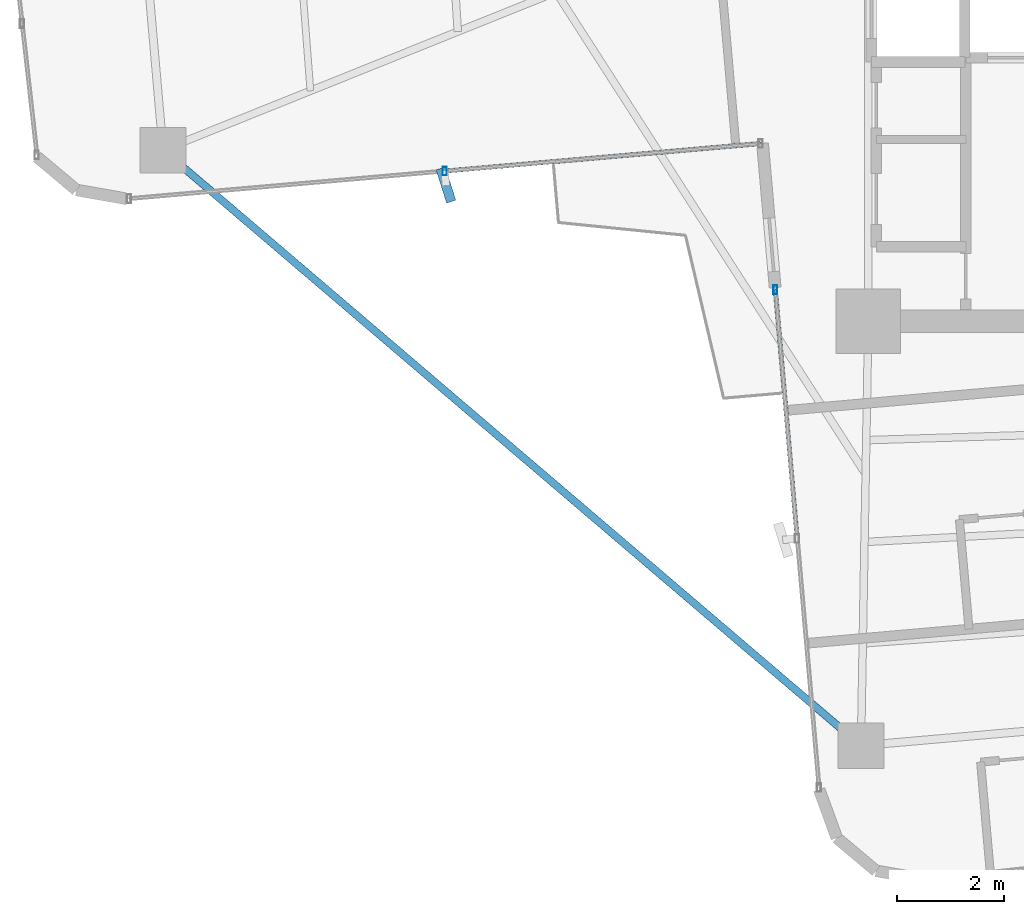
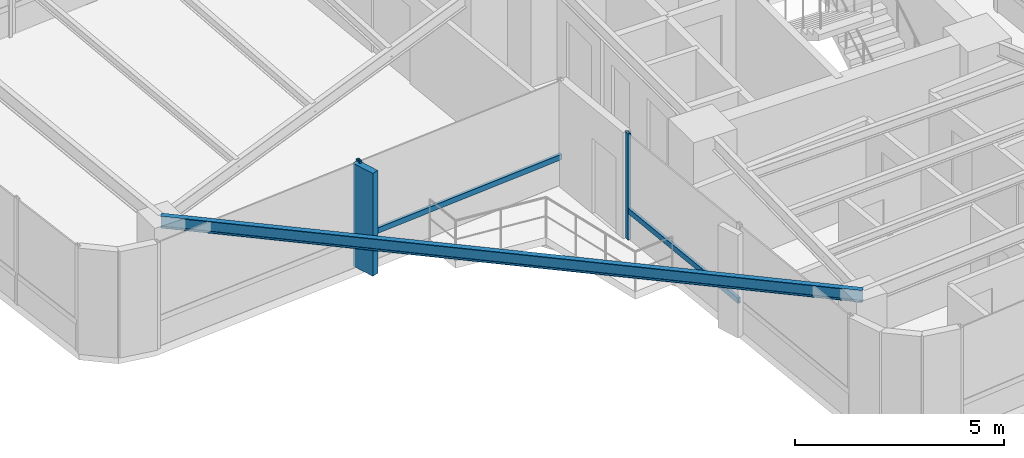
# One storey, part 4 of 24: 5 members, 1 beam, 2 elements without a shape of their own.
"""IFC4 building model written with IfcOpenShell, lengths in metres."""

from ifc_helpers import new_model, si_unit, direction, frame, origin, origin_2d, place, context, subcontext, project, spatial, rectangle, hollow_rectangle, i_section, extrude, source, transform, mapped, material, material_profile, profile_set, type_object, element, aggregate, save


model = new_model("IFC4")

# Units and contexts
model_context = context("Model", 3, precision=1e-05, world=origin(), true_north=direction((0.0, 1.0)))
body_context = subcontext(model_context, "Body", "Model", "MODEL_VIEW")
ifc_project = project(units=[si_unit("LENGTHUNIT", "METRE"), si_unit("AREAUNIT", "SQUARE_METRE"), si_unit("VOLUMEUNIT", "CUBIC_METRE"), si_unit("PLANEANGLEUNIT", "RADIAN"), si_unit("MASSUNIT", "GRAM", prefix="KILO")], contexts=[model_context])

# Site, building, storey
site_placement = place(None, origin())
site = spatial("IfcSite", under=ifc_project, at=site_placement, CompositionType="ELEMENT")
building_placement = place(site_placement, origin())
building = spatial("IfcBuilding", under=site, at=building_placement, Name="Sahyath Konkavel Grand Hotel", CompositionType="ELEMENT")
storey_placement = place(building_placement, frame((0.0, 0.0, 150.60009765625)))
storey = spatial("IfcBuildingStorey", under=building, at=storey_placement, Name="L41", CompositionType="ELEMENT", Elevation=150.60009765625)

# Beam
ifc_material_1 = material(Name="Steel E350", Category="steel")
ifc_material_profile_1 = material_profile(ifc_material_1, i_section(OverallWidth=0.139892578125, OverallDepth=0.35009765625, WebThickness=0.008056640625, FlangeThickness=0.01416015625, FilletRadius=0.013916015625, at=origin_2d()), Name="ISMB 350")
ifc_profile_set_1 = profile_set([ifc_material_profile_1], Name="Steel E350")
beam_type = type_object("IfcBeamType", Name="BM-ISMB350", PredefinedType="BEAM", material=ifc_profile_set_1)
shared_shape_1 = source(origin(), body_context, "Body", "SweptSolid", [
    extrude(i_section(OverallWidth=0.139892578125, OverallDepth=0.35009765625, WebThickness=0.008056640625, FlangeThickness=0.01416015625, FilletRadius=0.013916015625, at=origin_2d()), origin(), (0.0, 0.0, 1.0), 17.11279296875),
])
beam_placement = place(storey_placement, frame((-16.9541015625, -7.00439453125, 2.934814453125), z_axis=(0.760711911164, -0.649089661151, 0.0), x_axis=(0.649089661151, 0.760711911164, 0.0)))
element("IfcBeam", 1, at=beam_placement, inside=storey, type_object=beam_type, Name="L41 Re-Entrant Tie Beam SW", PredefinedType="BEAM", context=body_context, shape_type="MappedRepresentation", body=[
    mapped(shared_shape_1, transform((0.0, 0.0, 0.0), scale=1.0)),
])

# Curtain wall, member
ifc_material_2 = material(Name="Anodised Bronze Aluminium & Low-E Glazing", Category="aluminium")
curtain_wall_type = type_object("IfcCurtainWallType", Name="CW-ZONE3", PredefinedType="NOTDEFINED", material=ifc_material_2)
curtain_wall_1_placement = place(storey_placement, origin())
curtain_wall_1 = element("IfcCurtainWall", 2, at=curtain_wall_1_placement, inside=storey, type_object=curtain_wall_type, Name="L41 Unitised Curtain Wall F23", PredefinedType="NOTDEFINED")
ifc_material_3 = material(Name="Anodised Bronze Aluminium", Category="aluminium")
ifc_material_profile_2 = material_profile(ifc_material_3, hollow_rectangle(XDim=0.080078125, YDim=0.159912109375, WallThickness=0.006103515625, at=origin_2d()), Name="RHS 160x80x6")
ifc_profile_set_2 = profile_set([ifc_material_profile_2], Name="Anodised Bronze Aluminium")
member_type_1 = type_object("IfcMemberType", Name="CW-MUL-160", PredefinedType="MULLION", material=ifc_profile_set_2)
shared_shape_2 = source(origin(), body_context, "Body", "SweptSolid", [
    extrude(hollow_rectangle(XDim=0.080078125, YDim=0.159912109375, WallThickness=0.006103515625, at=origin_2d()), origin(), (0.0, 0.0, 1.0), 3.10986328125),
])
member_1_placement = place(storey_placement, frame((-11.69970703125, -7.39794921875, 0.0), z_axis=(0.0, 0.0, 1.0), x_axis=(1.0, 0.0, 0.0)))
member_1 = element("IfcMember", 3, at=member_1_placement, type_object=member_type_1, Name="L41 Curtain Wall Mullion F23-1", PredefinedType="MULLION", context=body_context, shape_type="MappedRepresentation", body=[
    mapped(shared_shape_2, transform((0.0, 0.0, 0.0), scale=1.0)),
])

curtain_wall_2_placement = place(storey_placement, origin())
curtain_wall_2 = element("IfcCurtainWall", 4, at=curtain_wall_2_placement, inside=storey, type_object=curtain_wall_type, Name="L41 Unitised Curtain Wall F24", PredefinedType="NOTDEFINED")
member_2_placement = place(storey_placement, frame((-5.53369140625, -9.60888671875, 0.0), z_axis=(0.0, 0.0, 1.0), x_axis=(1.0, 0.0, 0.0)))
member_2 = element("IfcMember", 5, at=member_2_placement, type_object=member_type_1, Name="L41 Curtain Wall Mullion F24-0", PredefinedType="MULLION", context=body_context, shape_type="MappedRepresentation", body=[
    mapped(shared_shape_2, transform((0.0, 0.0, 0.0), scale=1.0)),
])

# Member
ifc_material_4 = material(Name="Warm Buff Sandstone Cladding on Concrete C50/60", Category="masonry")
ifc_material_profile_3 = material_profile(ifc_material_4, rectangle(XDim=0.179931640625, YDim=0.64990234375, at=origin_2d()), Name="FIN 180x650")
ifc_profile_set_3 = profile_set([ifc_material_profile_3], Name="Warm Buff Sandstone Cladding on Concrete C50/60")
member_type_2 = type_object("IfcMemberType", Name="FIN-SANDSTONE-650", PredefinedType="MULLION", material=ifc_profile_set_3)
shared_shape_3 = source(origin(), body_context, "Body", "SweptSolid", [
    extrude(rectangle(XDim=0.179931640625, YDim=0.64990234375, at=origin_2d()), origin(), (0.0, 0.0, 1.0), 3.010009765625),
])
member_3_placement = place(storey_placement, frame((-11.677001953125, -7.656982421875, 0.0498046875), z_axis=(0.0, 0.0, 1.0), x_axis=(0.953348857629, 0.301870759858, 0.0)))
member_3 = element("IfcMember", 6, at=member_3_placement, type_object=member_type_2, Name="L41 Sandstone Vertical Solar Fin FIN F23-1", PredefinedType="MULLION", context=body_context, shape_type="MappedRepresentation", body=[
    mapped(shared_shape_3, transform((0.0, 0.0, 0.0), scale=1.0)),
])

ifc_material_profile_4 = material_profile(ifc_material_3, hollow_rectangle(XDim=0.080078125, YDim=0.159912109375, WallThickness=0.006103515625, at=origin_2d()), Name="RHS 160x80x6")
ifc_profile_set_4 = profile_set([ifc_material_profile_4], Name="Anodised Bronze Aluminium")
member_type_3 = type_object("IfcMemberType", Name="CW-TRN-160", PredefinedType="USERDEFINED", material=ifc_profile_set_4)
shared_shape_4 = source(origin(), body_context, "Body", "SweptSolid", [
    extrude(hollow_rectangle(XDim=0.080078125, YDim=0.159912109375, WallThickness=0.006103515625, at=origin_2d()), origin(), (0.0, 0.0, 1.0), 5.909912109375),
])
member_4_placement = place(storey_placement, frame((-11.69970703125, -7.39794921875, 0.849853515625), z_axis=(0.996193941691, 0.087164388014, 0.0), x_axis=(-0.087164388014, 0.996193941691, 0.0)))
member_4 = element("IfcMember", 7, at=member_4_placement, type_object=member_type_3, Name="L41 Curtain Wall Transom F23-1-spandrel", ObjectType="TRANSOM", PredefinedType="USERDEFINED", context=body_context, shape_type="MappedRepresentation", body=[
    mapped(shared_shape_4, transform((0.0, 0.0, 0.0), scale=1.0)),
])

aggregate(curtain_wall_1, [member_1, member_3, member_4])

shared_shape_5 = source(origin(), body_context, "Body", "SweptSolid", [
    extrude(hollow_rectangle(XDim=0.080078125, YDim=0.159912109375, WallThickness=0.006103515625, at=origin_2d()), origin(), (0.0, 0.0, 1.0), 4.66015625),
])
member_5_placement = place(storey_placement, frame((-5.53369140625, -9.60888671875, 0.849853515625), z_axis=(0.087176698736, -0.996192864458, 0.0), x_axis=(0.996192864458, 0.087176698736, 0.0)))
member_5 = element("IfcMember", 8, at=member_5_placement, type_object=member_type_3, Name="L41 Curtain Wall Transom F24-0-spandrel", ObjectType="TRANSOM", PredefinedType="USERDEFINED", context=body_context, shape_type="MappedRepresentation", body=[
    mapped(shared_shape_5, transform((0.0, 0.0, 0.0), scale=1.0)),
])

aggregate(curtain_wall_2, [member_2, member_5])

save(model, "model.ifc")
